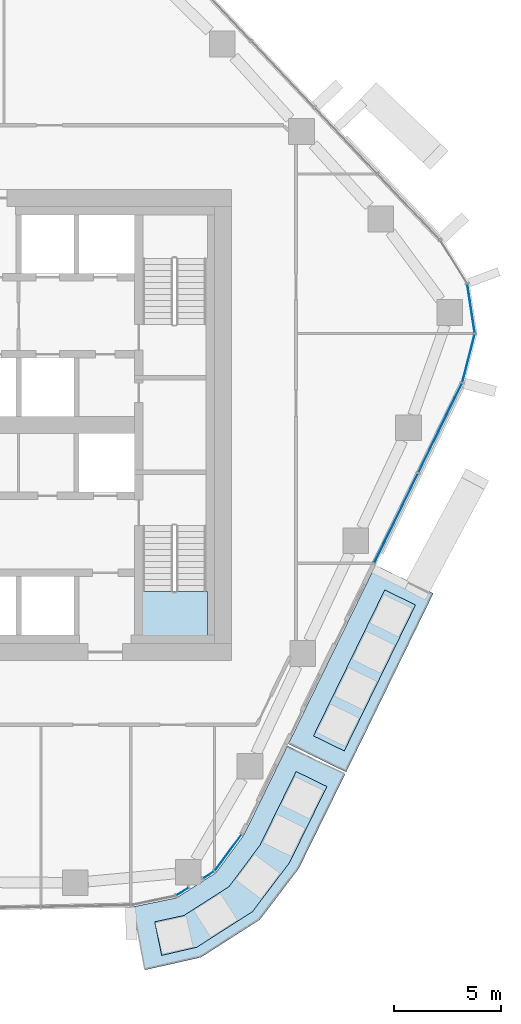
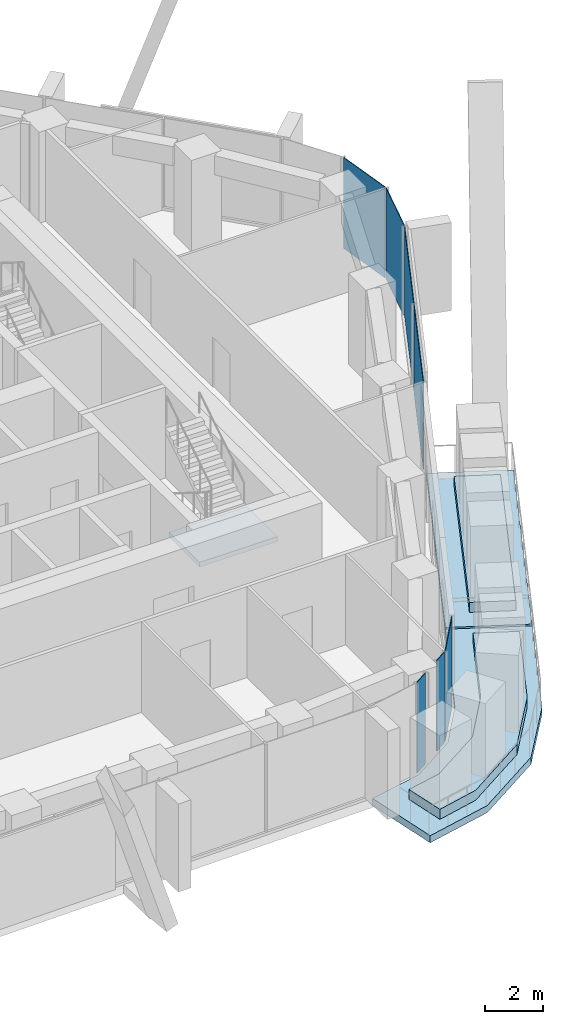
# One storey, part 9 of 18: 7 plates, 5 slabs, 5 elements without a shape of their own.
"""IFC4 building model written with IfcOpenShell, lengths in metres."""

import ifcopenshell
import ifcopenshell.guid

model = None  # the IFC model being written
_history = None  # IfcOwnerHistory: only IFC2X3 demands one
_inside = {}  # id of a spatial element -> (the spatial element, [elements in it])
_under = {}  # id of a project, library or spatial element -> (it, [spatial elements below it])
_declared = {}  # id of a project -> (the project, [libraries it declares])
_typed = {}  # id of a type object -> (the type object, [elements of that type])
_made_of = {}  # id of a material, layer set ... -> (it, [elements and type objects made of it])


def new_model(schema):
    """Start an empty IFC model of exactly this schema.

    Asked for "IFC4X3", IfcOpenShell would pick the latest addendum, in which some entities
    have other attributes; the version numbers below select the first issue.
    IFC2X3 requires an IfcOwnerHistory on every rooted entity: one is made here for all.
    """
    global model, _history
    if schema == "IFC4X3":
        model = ifcopenshell.file(schema_version=(4, 3, 0, 0))
    else:
        model = ifcopenshell.file(schema=schema)
    _inside.clear()
    _under.clear()
    _declared.clear()
    _typed.clear()
    _made_of.clear()
    _history = None
    if model.schema == "IFC2X3":
        org = make("IfcOrganization", Name="unknown")
        user = make(
            "IfcPersonAndOrganization",
            ThePerson=make("IfcPerson", FamilyName="unknown"),
            TheOrganization=org,
        )
        app = make(
            "IfcApplication",
            ApplicationDeveloper=org,
            Version="unknown",
            ApplicationFullName="unknown",
            ApplicationIdentifier="unknown",
        )
        _history = make(
            "IfcOwnerHistory",
            OwningUser=user,
            OwningApplication=app,
            ChangeAction="ADDED",
            CreationDate=0,
        )
    return model


def make(cls, **values):
    """One entity of the class cls with the attributes given. An attribute that is None is left unset."""
    return model.create_entity(
        cls, **{name: value for name, value in values.items() if value is not None}
    )


def rooted(cls, **values):
    """An entity with a GlobalId (a new one), such as an element, a storey or a relation."""
    return make(cls, GlobalId=ifcopenshell.guid.new(), OwnerHistory=_history, **values)


def si_unit(unit_type, name, prefix=None):
    """IfcSIUnit, for example si_unit("LENGTHUNIT", "METRE", prefix="MILLI")."""
    return make("IfcSIUnit", UnitType=unit_type, Prefix=prefix, Name=name)


def assignment(units):
    """IfcUnitAssignment: the units of a project."""
    return None if units is None else make("IfcUnitAssignment", Units=units)


def point(xyz):
    """IfcCartesianPoint."""
    return None if xyz is None else make("IfcCartesianPoint", Coordinates=xyz)


def direction(xyz):
    """IfcDirection."""
    return None if xyz is None else make("IfcDirection", DirectionRatios=xyz)


def frame(location, z_axis=None, x_axis=None):
    """IfcAxis2Placement3D, a coordinate frame: its origin and axes. An axis left out is left unset."""
    return make(
        "IfcAxis2Placement3D",
        Location=point(location),
        Axis=direction(z_axis),
        RefDirection=direction(x_axis),
    )


def frame_2d(location, x_axis=None):
    """IfcAxis2Placement2D, a coordinate frame in the plane: its origin and x axis."""
    return make(
        "IfcAxis2Placement2D", Location=point(location), RefDirection=direction(x_axis)
    )


def origin():
    """The frame at (0, 0, 0) with its axes left unset."""
    return frame((0.0, 0.0, 0.0))


def origin_2d():
    """The frame at (0, 0) in the plane with its x axis left unset."""
    return frame_2d((0.0, 0.0))


def place(relative_to, where):
    """IfcLocalPlacement: puts the frame where relative to a parent placement (None: the world)."""
    return make(
        "IfcLocalPlacement", PlacementRelTo=relative_to, RelativePlacement=where
    )


def context(
    kind, dimensions, precision=None, world=None, true_north=None, identifier=None
):
    """IfcGeometricRepresentationContext, for example the 3D "Model" context."""
    return make(
        "IfcGeometricRepresentationContext",
        ContextIdentifier=identifier,
        ContextType=kind,
        CoordinateSpaceDimension=dimensions,
        Precision=precision,
        WorldCoordinateSystem=world,
        TrueNorth=true_north,
    )


def subcontext(parent, identifier, kind, view, scale=None):
    """IfcGeometricRepresentationSubContext, for example "Body" below "Model"."""
    return make(
        "IfcGeometricRepresentationSubContext",
        ContextIdentifier=identifier,
        ContextType=kind,
        ParentContext=parent,
        TargetScale=scale,
        TargetView=view,
    )


def project(units=None, contexts=None):
    """IfcProject with its units and contexts."""
    return rooted(
        "IfcProject",
        Name="project",
        RepresentationContexts=contexts,
        UnitsInContext=assignment(units),
    )


def spatial(cls, under=None, at=None, **own):
    """A site, building, storey or space (cls), placed at a placement, below another one or the project."""
    s = rooted(cls, ObjectPlacement=at, **own)
    if under is not None:
        _under.setdefault(under.id(), (under, []))[1].append(s)
    return s


def polyline(points):
    """IfcPolyline through the points."""
    return make("IfcPolyline", Points=[point(p) for p in points])


def profile(cls, at=None, kind="AREA", **sizes):
    """A parametric profile (cls). Its sizes go by their IFC names, for example OverallWidth=200.0."""
    return make(cls, ProfileType=kind, Position=at, **sizes)


def rectangle(**sizes):
    """IfcRectangleProfileDef."""
    return profile("IfcRectangleProfileDef", **sizes)


def outline(outer, holes=None, kind="AREA"):
    """IfcArbitraryClosedProfileDef: a profile drawn as a closed curve; with holes, ...WithVoids."""
    if holes is None:
        return make("IfcArbitraryClosedProfileDef", ProfileType=kind, OuterCurve=outer)
    return make(
        "IfcArbitraryProfileDefWithVoids",
        ProfileType=kind,
        OuterCurve=outer,
        InnerCurves=holes,
    )


def extrude(swept, where, along, depth):
    """IfcExtrudedAreaSolid: the profile swept, set in the frame where, extruded along a direction by depth."""
    return make(
        "IfcExtrudedAreaSolid",
        SweptArea=swept,
        Position=where,
        ExtrudedDirection=direction(along),
        Depth=depth,
    )


def shape(context_of_items, identifier, shape_type, items):
    """IfcShapeRepresentation: the items that make up one representation, for example the "Body"."""
    return make(
        "IfcShapeRepresentation",
        ContextOfItems=context_of_items,
        RepresentationIdentifier=identifier,
        RepresentationType=shape_type,
        Items=items,
    )


def material(Name=None, Category=None):
    """IfcMaterial."""
    return make("IfcMaterial", Name=Name, Category=Category)


def layer(
    of_material, thickness, ventilated=None, Name=None, Category=None, Priority=None
):
    """IfcMaterialLayer: one layer of a wall or slab, of a material (None: an air gap)."""
    return make(
        "IfcMaterialLayer",
        Material=of_material,
        LayerThickness=thickness,
        IsVentilated=ventilated,
        Name=Name,
        Category=Category,
        Priority=Priority,
    )


def layer_set(layers, Name=None):
    """IfcMaterialLayerSet."""
    return make("IfcMaterialLayerSet", MaterialLayers=layers, LayerSetName=Name)


def made_of(thing, what):
    """Note that an element or type object is made of a material, layer set ...; save() writes the relation."""
    if what is not None:
        _made_of.setdefault(what.id(), (what, []))[1].append(thing)
    return thing


def type_object(cls, material=None, **own):
    """A type object (cls), such as IfcWallType, which elements share."""
    return made_of(rooted(cls, **own), material)


def element(
    cls,
    number,
    at=None,
    inside=None,
    cuts=None,
    type_object=None,
    material=None,
    context=None,
    identifier="Body",
    shape_type=None,
    held_by="IfcProductDefinitionShape",
    body=None,
    shapes=None,
    **own,
):
    """One element of the class cls, such as IfcWall. Its Tag is "e" and its number.

    at: its placement. inside: the storey or other place that contains it. cuts: it is an
    opening in that element (IfcRelVoidsElement). A single representation is given by context,
    identifier, shape_type and body (its items); several are given by shapes. held_by: the class
    of the entity that holds the representations. save() writes the other relations.
    """
    e = rooted(cls, Tag="e%d" % number, ObjectPlacement=at, **own)
    if body is not None:
        shapes = [shape(context, identifier, shape_type, body)]
    if shapes is not None:
        e.Representation = make(held_by, Representations=shapes)
    if inside is not None:
        _inside.setdefault(inside.id(), (inside, []))[1].append(e)
    if cuts is not None:
        rooted(
            "IfcRelVoidsElement", RelatingBuildingElement=cuts, RelatedOpeningElement=e
        )
    if type_object is not None:
        _typed.setdefault(type_object.id(), (type_object, []))[1].append(e)
    return made_of(e, material)


def aggregate(whole, parts):
    """IfcRelAggregates: a whole, such as a stair, and the parts it consists of."""
    return rooted("IfcRelAggregates", RelatingObject=whole, RelatedObjects=parts)


def save(model, path):
    """Write the relations noted so far, then the file.

    IfcRelAggregates (storeys below a building ...), IfcRelContainedInSpatialStructure (elements
    in a storey), IfcRelDefinesByType, IfcRelAssociatesMaterial and IfcRelDeclares: one each for
    every whole, place, type object, material and project.
    """
    for whole, parts in _under.values():
        aggregate(whole, parts)
    for where, things in _inside.values():
        rooted(
            "IfcRelContainedInSpatialStructure",
            RelatedElements=things,
            RelatingStructure=where,
        )
    for kind, things in _typed.values():
        rooted("IfcRelDefinesByType", RelatedObjects=things, RelatingType=kind)
    for what, things in _made_of.values():
        rooted("IfcRelAssociatesMaterial", RelatedObjects=things, RelatingMaterial=what)
    for by, libraries in _declared.values():
        rooted("IfcRelDeclares", RelatingContext=by, RelatedDefinitions=libraries)
    model.write(path)


model = new_model("IFC4")

# Units and contexts
model_context = context("Model", 3, precision=1e-05, world=origin(), true_north=direction((0.0, 1.0)))
body_context = subcontext(model_context, "Body", "Model", "MODEL_VIEW")
ifc_project = project(units=[si_unit("LENGTHUNIT", "METRE"), si_unit("AREAUNIT", "SQUARE_METRE"), si_unit("VOLUMEUNIT", "CUBIC_METRE"), si_unit("PLANEANGLEUNIT", "RADIAN"), si_unit("MASSUNIT", "GRAM", prefix="KILO")], contexts=[model_context])

# Site, building, storey
site_placement = place(None, origin())
site = spatial("IfcSite", under=ifc_project, at=site_placement, CompositionType="ELEMENT")
building_placement = place(site_placement, origin())
building = spatial("IfcBuilding", under=site, at=building_placement, Name="Dongbaek Canopy Tower", CompositionType="ELEMENT")
storey_placement = place(building_placement, frame((0.0, 0.0, 167.0)))
storey = spatial("IfcBuildingStorey", under=building, at=storey_placement, Name="L36", CompositionType="ELEMENT", Elevation=167.0)

# Slabs
ifc_material_1 = material(Name="Concrete C40/50", Category="concrete")
ifc_layer_1 = layer(ifc_material_1, 0.300048828125)
ifc_layer_set_1 = layer_set([ifc_layer_1], Name="Balcony slab 300")
slab_type_1 = type_object("IfcSlabType", Name="Balcony slab 300", PredefinedType="FLOOR", material=ifc_layer_set_1)
slab_1_placement = place(storey_placement, frame((0.0, 0.0, -0.300048828125)))
element("IfcSlab", 1, at=slab_1_placement, inside=storey, type_object=slab_type_1, Name="Balcony L36 2", PredefinedType="FLOOR", context=body_context, shape_type="SweptSolid", body=[
    extrude(outline(polyline([(16.64453125, -14.889892578125), (20.717041015625, -6.546875), (23.4130859375, -7.86279296875), (19.34033203125, -16.2060546875), (16.64453125, -14.889892578125)])), origin(), (0.0, 0.0, 1.0), 0.300048828125),
])
slab_2_placement = place(storey_placement, frame((0.0, 0.0, -0.300048828125)))
element("IfcSlab", 2, at=slab_2_placement, inside=storey, type_object=slab_type_1, Name="Balcony L36 4", PredefinedType="FLOOR", context=body_context, shape_type="SweptSolid", body=[
    extrude(outline(polyline([(9.344482421875, -22.508056640625), (11.4306640625, -22.078125), (13.267822265625, -20.904296875), (14.564208984375, -19.1513671875), (16.6005859375, -14.979736328125), (19.296630859375, -16.2958984375), (17.12890625, -20.707763671875), (15.315673828125, -23.0966796875), (12.559814453125, -24.857666015625), (9.949951171875, -25.4462890625), (9.344482421875, -22.508056640625)])), origin(), (0.0, 0.0, 1.0), 0.300048828125),
])

# Curtain wall, plates
ifc_material_2 = material(Name="Aluminium 6063-T6 pale anodised", Category="aluminium")
ifc_layer_2 = layer(ifc_material_2, 0.199951171875)
ifc_layer_set_2 = layer_set([ifc_layer_2], Name="CW-1 unitised tower curtain wall")
curtain_wall_type = type_object("IfcCurtainWallType", Name="CW-1 unitised tower curtain wall", PredefinedType="NOTDEFINED", material=ifc_layer_set_2)
curtain_wall_1_placement = place(storey_placement, origin())
curtain_wall_1 = element("IfcCurtainWall", 3, at=curtain_wall_1_placement, inside=storey, type_object=curtain_wall_type, Name="CW-1 curtain wall K0.1", PredefinedType="NOTDEFINED")
ifc_material_3 = material(Name="Clear laminated glass", Category="glass")
ifc_layer_3 = layer(ifc_material_3, 0.028076171875)
ifc_layer_set_3 = layer_set([ifc_layer_3], Name="CW-1 glazed panel 28")
plate_type = type_object("IfcPlateType", Name="CW-1 glazed panel 28", PredefinedType="CURTAIN_PANEL", material=ifc_layer_set_3)
plate_1_placement = place(storey_placement, frame((25.0576171875, 3.11767578125, 0.0), z_axis=(0.0, 0.0, 1.0), x_axis=(0.249304611313, 0.968425118829, 0.0)))
plate_1 = element("IfcPlate", 4, at=plate_1_placement, type_object=plate_type, Name="CW-1 panel K0.1.1.1", PredefinedType="CURTAIN_PANEL", context=body_context, shape_type="SweptSolid", body=[
    extrude(rectangle(XDim=2.294677734375, YDim=0.028076171875, at=origin_2d()), origin(), (0.0, 0.0, 1.0), 3.820068359375),
])
plate_2_placement = place(storey_placement, frame((25.174560546875, 5.43994140625, 0.0), z_axis=(0.0, 0.0, 1.0), x_axis=(-0.151749532381, 0.988418979695, 0.0)))
plate_2 = element("IfcPlate", 5, at=plate_2_placement, type_object=plate_type, Name="CW-1 panel K0.1.2.1", PredefinedType="CURTAIN_PANEL", context=body_context, shape_type="SweptSolid", body=[
    extrude(rectangle(XDim=2.284423828125, YDim=0.028076171875, at=origin_2d()), origin(), (0.0, 0.0, 1.0), 3.820068359375),
])
aggregate(curtain_wall_1, [plate_1, plate_2])

# Curtain wall, plate
curtain_wall_2_placement = place(storey_placement, origin())
curtain_wall_2 = element("IfcCurtainWall", 6, at=curtain_wall_2_placement, inside=storey, type_object=curtain_wall_type, Name="CW-1 curtain wall K5.1a", PredefinedType="NOTDEFINED")
plate_3_placement = place(storey_placement, frame((11.697265625, -21.789306640625, 0.0), z_axis=(0.0, 0.0, 1.0), x_axis=(0.842655564511, 0.538452968789, 0.0)))
plate_3 = element("IfcPlate", 7, at=plate_3_placement, type_object=plate_type, Name="CW-1 panel K5.1a.2.1", PredefinedType="CURTAIN_PANEL", context=body_context, shape_type="SweptSolid", body=[
    extrude(rectangle(XDim=0.63916015625, YDim=0.028076171875, at=origin_2d()), origin(), (0.0, 0.0, 1.0), 3.820068359375),
])
aggregate(curtain_wall_2, [plate_3])

# Curtain wall, plates
curtain_wall_3_placement = place(storey_placement, origin())
curtain_wall_3 = element("IfcCurtainWall", 8, at=curtain_wall_3_placement, inside=storey, type_object=curtain_wall_type, Name="CW-1 curtain wall K5.1b", PredefinedType="NOTDEFINED")
plate_4_placement = place(storey_placement, frame((12.920166015625, -21.0078125, 0.0), z_axis=(0.0, 0.0, 1.0), x_axis=(0.842655564511, 0.538452968789, 0.0)))
plate_4 = element("IfcPlate", 9, at=plate_4_placement, type_object=plate_type, Name="CW-1 panel K5.1b.1.1", PredefinedType="CURTAIN_PANEL", context=body_context, shape_type="SweptSolid", body=[
    extrude(rectangle(XDim=0.576416015625, YDim=0.028076171875, at=origin_2d()), origin(), (0.0, 0.0, 1.0), 3.820068359375),
])
plate_5_placement = place(storey_placement, frame((13.83837890625, -19.964599609375, 0.0), z_axis=(0.0, 0.0, 1.0), x_axis=(0.594631213935, 0.803998581724, 0.0)))
plate_5 = element("IfcPlate", 10, at=plate_5_placement, type_object=plate_type, Name="CW-1 panel K5.1b.2.1", PredefinedType="CURTAIN_PANEL", context=body_context, shape_type="SweptSolid", body=[
    extrude(rectangle(XDim=2.068603515625, YDim=0.028076171875, at=origin_2d()), origin(), (0.0, 0.0, 1.0), 3.820068359375),
])
aggregate(curtain_wall_3, [plate_4, plate_5])

curtain_wall_4_placement = place(storey_placement, origin())
curtain_wall_4 = element("IfcCurtainWall", 11, at=curtain_wall_4_placement, inside=storey, type_object=curtain_wall_type, Name="CW-1 curtain wall F5.1", PredefinedType="NOTDEFINED")
plate_6_placement = place(storey_placement, frame((21.67822265625, -4.349853515625, 0.1201171875), z_axis=(0.0, 0.0, 1.0), x_axis=(0.438664685403, 0.898650818606, 0.0)))
plate_6 = element("IfcPlate", 12, at=plate_6_placement, type_object=plate_type, Name="CW-1 panel F5.1.1.1", PredefinedType="CURTAIN_PANEL", context=body_context, shape_type="SweptSolid", body=[
    extrude(rectangle(XDim=4.608154296875, YDim=0.028076171875, at=origin_2d()), origin(), (0.0, 0.0, 1.0), 3.699951171875),
])
plate_7_placement = place(storey_placement, frame((23.734130859375, -0.1376953125, 0.1201171875), z_axis=(0.0, 0.0, 1.0), x_axis=(0.438664685403, 0.898650818606, 0.0)))
plate_7 = element("IfcPlate", 13, at=plate_7_placement, type_object=plate_type, Name="CW-1 panel F5.1.2.1", PredefinedType="CURTAIN_PANEL", context=body_context, shape_type="SweptSolid", body=[
    extrude(rectangle(XDim=4.597900390625, YDim=0.028076171875, at=origin_2d()), origin(), (0.0, 0.0, 1.0), 3.699951171875),
])
aggregate(curtain_wall_4, [plate_6, plate_7])

# Stair, slab
ifc_material_4 = material(Name="Concrete C40/50", Category="concrete")
stair_type = type_object("IfcStairType", Name="Core exit stair", PredefinedType="HALF_TURN_STAIR", material=ifc_material_4)
stair_placement = place(storey_placement, origin())
stair = element("IfcStair", 14, at=stair_placement, inside=storey, type_object=stair_type, Name="L36 exit stair B", PredefinedType="HALF_TURN_STAIR")
ifc_material_5 = material(Name="Concrete C40/50", Category="concrete")
ifc_layer_4 = layer(ifc_material_5, 0.199951171875)
ifc_layer_set_4 = layer_set([ifc_layer_4], Name="Core stair landing 200")
slab_type_2 = type_object("IfcSlabType", Name="Core stair landing 200", PredefinedType="LANDING", material=ifc_layer_set_4)
slab_3_placement = place(storey_placement, frame((0.0, 0.0, 1.89990234375)))
slab_3 = element("IfcSlab", 15, at=slab_3_placement, type_object=slab_type_2, Name="ST-B landing 1", PredefinedType="LANDING", context=body_context, shape_type="SweptSolid", body=[
    extrude(outline(polyline([(9.77490234375, -7.780029296875), (9.77490234375, -9.875), (12.875, -9.875), (12.875, -7.780029296875), (9.77490234375, -7.780029296875)])), origin(), (0.0, 0.0, 1.0), 0.2001953125),
])
aggregate(stair, [slab_3])

# Slabs
ifc_material_6 = material(Name="Reinforced concrete C40/50 planter box with soil", Category="concrete")
ifc_layer_5 = layer(ifc_material_6, 0.419921875)
ifc_layer_set_5 = layer_set([ifc_layer_5], Name="Terrace planter box 1600 x 420")
slab_type_3 = type_object("IfcSlabType", Name="Terrace planter box 1600 x 420", PredefinedType="USERDEFINED", material=ifc_layer_set_5)
slab_4_placement = place(storey_placement, origin())
element("IfcSlab", 16, at=slab_4_placement, inside=storey, type_object=slab_type_3, Name="Balcony planter L36 2", ObjectType="PLANTER", PredefinedType="USERDEFINED", context=body_context, shape_type="SweptSolid", body=[
    extrude(outline(polyline([(17.817138671875, -14.5166015625), (21.14404296875, -7.701171875), (22.581787109375, -8.40283203125), (19.2548828125, -15.218505859375), (17.817138671875, -14.5166015625)])), origin(), (0.0, 0.0, 1.0), 0.419921875),
])
slab_5_placement = place(storey_placement, origin())
element("IfcSlab", 17, at=slab_5_placement, inside=storey, type_object=slab_type_3, Name="Balcony planter L36 4", ObjectType="PLANTER", PredefinedType="USERDEFINED", context=body_context, shape_type="SweptSolid", body=[
    extrude(outline(polyline([(10.405517578125, -23.1982421875), (11.765625, -22.90283203125), (13.875244140625, -21.5546875), (15.3251953125, -19.61328125), (17.005615234375, -16.178955078125), (18.443359375, -16.880859375), (16.69287109375, -20.443359375), (14.967529296875, -22.723876953125), (12.367919921875, -24.385009765625), (10.728515625, -24.76513671875), (10.405517578125, -23.1982421875)])), origin(), (0.0, 0.0, 1.0), 0.419921875),
])

save(model, "model.ifc")
